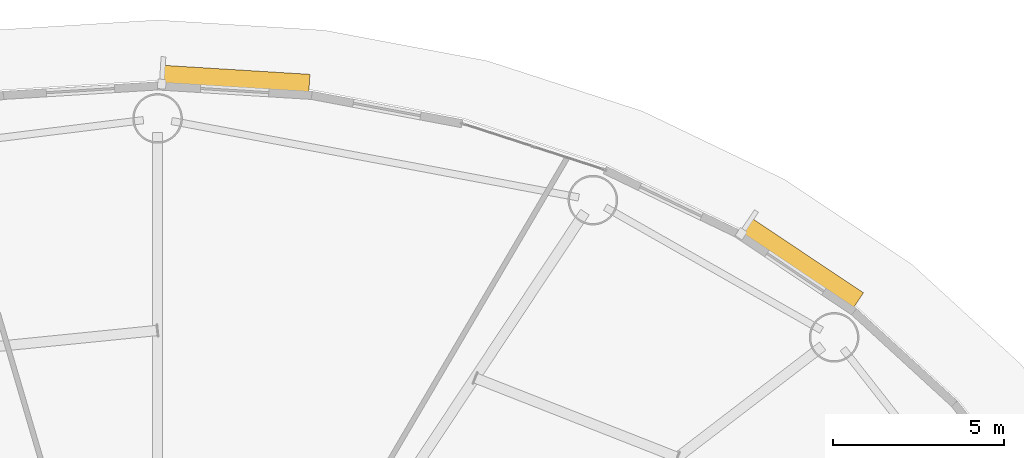
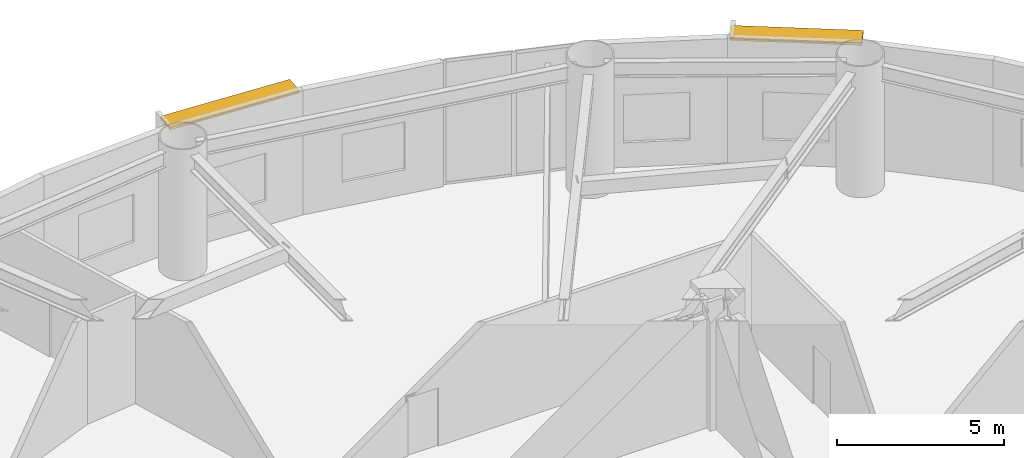
# One storey, part 19 of 19: 2 shading devices.
"""IFC4 building model written with IfcOpenShell, lengths in metres."""

from ifc_helpers import new_model, si_unit, direction, frame, origin, origin_2d, place, context, subcontext, project, spatial, rectangle, extrude, source, transform, mapped, material, layer, layer_set, type_object, element, save


model = new_model("IFC4")

# Units and contexts
model_context = context("Model", 3, precision=1e-05, world=origin(), true_north=direction((0.0, 1.0)))
body_context = subcontext(model_context, "Body", "Model", "MODEL_VIEW")
ifc_project = project(units=[si_unit("LENGTHUNIT", "METRE"), si_unit("AREAUNIT", "SQUARE_METRE"), si_unit("VOLUMEUNIT", "CUBIC_METRE"), si_unit("PLANEANGLEUNIT", "RADIAN"), si_unit("MASSUNIT", "GRAM", prefix="KILO")], contexts=[model_context])

# Site, building, storey
site_placement = place(None, origin())
site = spatial("IfcSite", under=ifc_project, at=site_placement, CompositionType="ELEMENT")
building_placement = place(site_placement, origin())
building = spatial("IfcBuilding", under=site, at=building_placement, Name="Linh Dai School and Residence Tower", CompositionType="ELEMENT")
storey_placement = place(building_placement, frame((0.0, 0.0, 92.39990234375)))
storey = spatial("IfcBuildingStorey", under=building, at=storey_placement, Name="L21", CompositionType="ELEMENT", Elevation=92.39990234375)

# Shading devices
ifc_material = material(Name="Terracotta Ceramic Sunshade", Category="masonry")
ifc_layer = layer(ifc_material, 0.10009765625)
ifc_layer_set = layer_set([ifc_layer], Name="Terracotta Ceramic Sunshade")
shading_device_type = type_object("IfcShadingDeviceType", Name="SHD-TC-650", PredefinedType="USERDEFINED", material=ifc_layer_set)
shared_shape_1 = source(origin(), body_context, "Body", "SweptSolid", [
    extrude(rectangle(XDim=3.96484375, YDim=0.64990234375, at=origin_2d()), origin(), (0.0, 0.0, 1.0), 0.10009765625),
])
shading_device_1_placement = place(storey_placement, frame((54.80029296875, 44.288330078125, 4.429931640625), z_axis=(0.0, 0.0, 1.0), x_axis=(0.831240347736, -0.555913198527, 0.0)))
element("IfcShadingDevice", 1, at=shading_device_1_placement, inside=storey, type_object=shading_device_type, Name="L21 Terracotta Horizontal Sunshade Band 06", ObjectType="SUNSHADE", PredefinedType="USERDEFINED", context=body_context, shape_type="MappedRepresentation", body=[
    mapped(shared_shape_1, transform((0.0, 0.0, 0.0), x_axis=(1.0, 0.0, 0.0), y_axis=(0.0, 1.0, 0.0), z_axis=(0.0, 0.0, 1.0), scale=1.0)),
])
shared_shape_2 = source(origin(), body_context, "Body", "SweptSolid", [
    extrude(rectangle(XDim=4.33349609375, YDim=0.64990234375, at=origin_2d()), origin(), (0.0, 0.0, 1.0), 0.10009765625),
])
shading_device_2_placement = place(storey_placement, frame((38.270263671875, 49.650634765625, 4.429931640625), z_axis=(0.0, 0.0, 1.0), x_axis=(0.998106513123, -0.061509255091, 0.0)))
element("IfcShadingDevice", 2, at=shading_device_2_placement, inside=storey, type_object=shading_device_type, Name="L21 Terracotta Horizontal Sunshade Band 10", ObjectType="SUNSHADE", PredefinedType="USERDEFINED", context=body_context, shape_type="MappedRepresentation", body=[
    mapped(shared_shape_2, transform((0.0, 0.0, 0.0), x_axis=(1.0, 0.0, 0.0), y_axis=(0.0, 1.0, 0.0), z_axis=(0.0, 0.0, 1.0), scale=1.0)),
])

save(model, "model.ifc")
